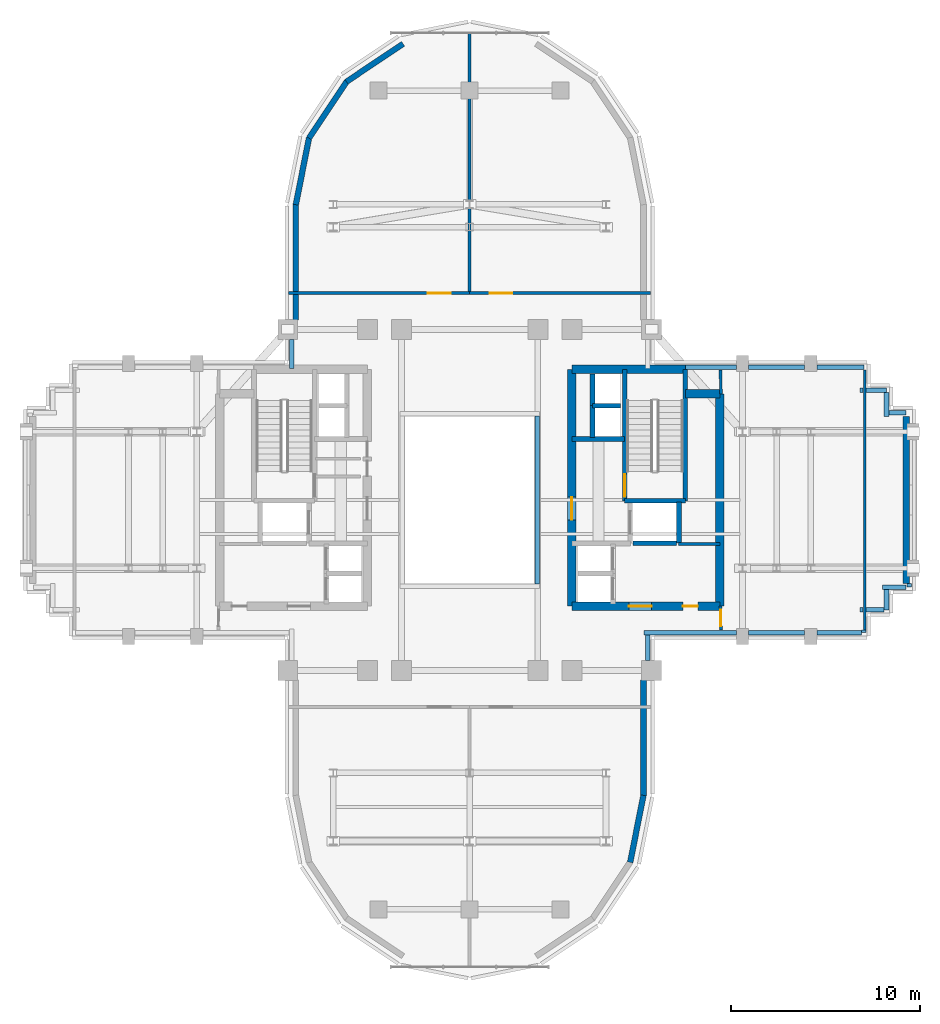
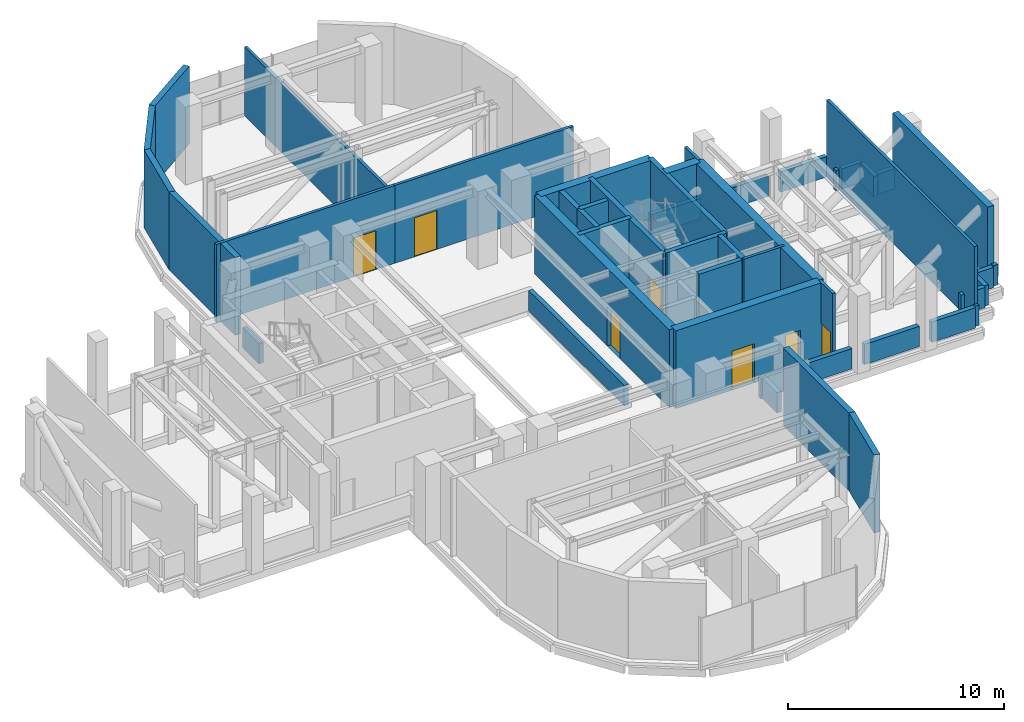
# One storey, part 7 of 11: 47 walls, 7 doors, 7 openings.
"""IFC4 building model written with IfcOpenShell, lengths in metres."""

import ifcopenshell
import ifcopenshell.guid

model = None  # the IFC model being written
_history = None  # IfcOwnerHistory: only IFC2X3 demands one
_inside = {}  # id of a spatial element -> (the spatial element, [elements in it])
_under = {}  # id of a project, library or spatial element -> (it, [spatial elements below it])
_declared = {}  # id of a project -> (the project, [libraries it declares])
_typed = {}  # id of a type object -> (the type object, [elements of that type])
_made_of = {}  # id of a material, layer set ... -> (it, [elements and type objects made of it])


def new_model(schema):
    """Start an empty IFC model of exactly this schema.

    Asked for "IFC4X3", IfcOpenShell would pick the latest addendum, in which some entities
    have other attributes; the version numbers below select the first issue.
    IFC2X3 requires an IfcOwnerHistory on every rooted entity: one is made here for all.
    """
    global model, _history
    if schema == "IFC4X3":
        model = ifcopenshell.file(schema_version=(4, 3, 0, 0))
    else:
        model = ifcopenshell.file(schema=schema)
    _inside.clear()
    _under.clear()
    _declared.clear()
    _typed.clear()
    _made_of.clear()
    _history = None
    if model.schema == "IFC2X3":
        org = make("IfcOrganization", Name="unknown")
        user = make(
            "IfcPersonAndOrganization",
            ThePerson=make("IfcPerson", FamilyName="unknown"),
            TheOrganization=org,
        )
        app = make(
            "IfcApplication",
            ApplicationDeveloper=org,
            Version="unknown",
            ApplicationFullName="unknown",
            ApplicationIdentifier="unknown",
        )
        _history = make(
            "IfcOwnerHistory",
            OwningUser=user,
            OwningApplication=app,
            ChangeAction="ADDED",
            CreationDate=0,
        )
    return model


def make(cls, **values):
    """One entity of the class cls with the attributes given. An attribute that is None is left unset."""
    return model.create_entity(
        cls, **{name: value for name, value in values.items() if value is not None}
    )


def rooted(cls, **values):
    """An entity with a GlobalId (a new one), such as an element, a storey or a relation."""
    return make(cls, GlobalId=ifcopenshell.guid.new(), OwnerHistory=_history, **values)


def si_unit(unit_type, name, prefix=None):
    """IfcSIUnit, for example si_unit("LENGTHUNIT", "METRE", prefix="MILLI")."""
    return make("IfcSIUnit", UnitType=unit_type, Prefix=prefix, Name=name)


def assignment(units):
    """IfcUnitAssignment: the units of a project."""
    return None if units is None else make("IfcUnitAssignment", Units=units)


def point(xyz):
    """IfcCartesianPoint."""
    return None if xyz is None else make("IfcCartesianPoint", Coordinates=xyz)


def direction(xyz):
    """IfcDirection."""
    return None if xyz is None else make("IfcDirection", DirectionRatios=xyz)


def frame(location, z_axis=None, x_axis=None):
    """IfcAxis2Placement3D, a coordinate frame: its origin and axes. An axis left out is left unset."""
    return make(
        "IfcAxis2Placement3D",
        Location=point(location),
        Axis=direction(z_axis),
        RefDirection=direction(x_axis),
    )


def frame_2d(location, x_axis=None):
    """IfcAxis2Placement2D, a coordinate frame in the plane: its origin and x axis."""
    return make(
        "IfcAxis2Placement2D", Location=point(location), RefDirection=direction(x_axis)
    )


def origin():
    """The frame at (0, 0, 0) with its axes left unset."""
    return frame((0.0, 0.0, 0.0))


def place(relative_to, where):
    """IfcLocalPlacement: puts the frame where relative to a parent placement (None: the world)."""
    return make(
        "IfcLocalPlacement", PlacementRelTo=relative_to, RelativePlacement=where
    )


def context(
    kind, dimensions, precision=None, world=None, true_north=None, identifier=None
):
    """IfcGeometricRepresentationContext, for example the 3D "Model" context."""
    return make(
        "IfcGeometricRepresentationContext",
        ContextIdentifier=identifier,
        ContextType=kind,
        CoordinateSpaceDimension=dimensions,
        Precision=precision,
        WorldCoordinateSystem=world,
        TrueNorth=true_north,
    )


def subcontext(parent, identifier, kind, view, scale=None):
    """IfcGeometricRepresentationSubContext, for example "Body" below "Model"."""
    return make(
        "IfcGeometricRepresentationSubContext",
        ContextIdentifier=identifier,
        ContextType=kind,
        ParentContext=parent,
        TargetScale=scale,
        TargetView=view,
    )


def project(units=None, contexts=None):
    """IfcProject with its units and contexts."""
    return rooted(
        "IfcProject",
        Name="project",
        RepresentationContexts=contexts,
        UnitsInContext=assignment(units),
    )


def spatial(cls, under=None, at=None, **own):
    """A site, building, storey or space (cls), placed at a placement, below another one or the project."""
    s = rooted(cls, ObjectPlacement=at, **own)
    if under is not None:
        _under.setdefault(under.id(), (under, []))[1].append(s)
    return s


def profile(cls, at=None, kind="AREA", **sizes):
    """A parametric profile (cls). Its sizes go by their IFC names, for example OverallWidth=200.0."""
    return make(cls, ProfileType=kind, Position=at, **sizes)


def rectangle(**sizes):
    """IfcRectangleProfileDef."""
    return profile("IfcRectangleProfileDef", **sizes)


def extrude(swept, where, along, depth):
    """IfcExtrudedAreaSolid: the profile swept, set in the frame where, extruded along a direction by depth."""
    return make(
        "IfcExtrudedAreaSolid",
        SweptArea=swept,
        Position=where,
        ExtrudedDirection=direction(along),
        Depth=depth,
    )


def shape(context_of_items, identifier, shape_type, items):
    """IfcShapeRepresentation: the items that make up one representation, for example the "Body"."""
    return make(
        "IfcShapeRepresentation",
        ContextOfItems=context_of_items,
        RepresentationIdentifier=identifier,
        RepresentationType=shape_type,
        Items=items,
    )


def source(mapping_origin, context_of_items, identifier, shape_type, items):
    """IfcRepresentationMap: a shape defined once, which mapped items show again and again."""
    return make(
        "IfcRepresentationMap",
        MappingOrigin=mapping_origin,
        MappedRepresentation=shape(context_of_items, identifier, shape_type, items),
    )


def transform(
    local_origin,
    x_axis=None,
    y_axis=None,
    z_axis=None,
    scale=None,
    scale2=None,
    scale3=None,
    uniform=True,
):
    """IfcCartesianTransformationOperator3D, or its non-uniform kind. x_axis, y_axis, z_axis: its Axis1, 2, 3."""
    if uniform:
        return make(
            "IfcCartesianTransformationOperator3D",
            Axis1=direction(x_axis),
            Axis2=direction(y_axis),
            LocalOrigin=point(local_origin),
            Scale=scale,
            Axis3=direction(z_axis),
        )
    return make(
        "IfcCartesianTransformationOperator3DnonUniform",
        Axis1=direction(x_axis),
        Axis2=direction(y_axis),
        LocalOrigin=point(local_origin),
        Scale=scale,
        Axis3=direction(z_axis),
        Scale2=scale2,
        Scale3=scale3,
    )


def mapped(mapping_source, mapping_target):
    """IfcMappedItem: shows the shape of a source again, moved by a transform."""
    return make(
        "IfcMappedItem", MappingSource=mapping_source, MappingTarget=mapping_target
    )


def material(Name=None, Category=None):
    """IfcMaterial."""
    return make("IfcMaterial", Name=Name, Category=Category)


def layer(
    of_material, thickness, ventilated=None, Name=None, Category=None, Priority=None
):
    """IfcMaterialLayer: one layer of a wall or slab, of a material (None: an air gap)."""
    return make(
        "IfcMaterialLayer",
        Material=of_material,
        LayerThickness=thickness,
        IsVentilated=ventilated,
        Name=Name,
        Category=Category,
        Priority=Priority,
    )


def layer_set(layers, Name=None):
    """IfcMaterialLayerSet."""
    return make("IfcMaterialLayerSet", MaterialLayers=layers, LayerSetName=Name)


def made_of(thing, what):
    """Note that an element or type object is made of a material, layer set ...; save() writes the relation."""
    if what is not None:
        _made_of.setdefault(what.id(), (what, []))[1].append(thing)
    return thing


def type_object(cls, material=None, **own):
    """A type object (cls), such as IfcWallType, which elements share."""
    return made_of(rooted(cls, **own), material)


def element(
    cls,
    number,
    at=None,
    inside=None,
    cuts=None,
    type_object=None,
    material=None,
    context=None,
    identifier="Body",
    shape_type=None,
    held_by="IfcProductDefinitionShape",
    body=None,
    shapes=None,
    **own,
):
    """One element of the class cls, such as IfcWall. Its Tag is "e" and its number.

    at: its placement. inside: the storey or other place that contains it. cuts: it is an
    opening in that element (IfcRelVoidsElement). A single representation is given by context,
    identifier, shape_type and body (its items); several are given by shapes. held_by: the class
    of the entity that holds the representations. save() writes the other relations.
    """
    e = rooted(cls, Tag="e%d" % number, ObjectPlacement=at, **own)
    if body is not None:
        shapes = [shape(context, identifier, shape_type, body)]
    if shapes is not None:
        e.Representation = make(held_by, Representations=shapes)
    if inside is not None:
        _inside.setdefault(inside.id(), (inside, []))[1].append(e)
    if cuts is not None:
        rooted(
            "IfcRelVoidsElement", RelatingBuildingElement=cuts, RelatedOpeningElement=e
        )
    if type_object is not None:
        _typed.setdefault(type_object.id(), (type_object, []))[1].append(e)
    return made_of(e, material)


def fill(opening, filler):
    """IfcRelFillsElement: the door or window that sits in an opening."""
    return rooted(
        "IfcRelFillsElement",
        RelatingOpeningElement=opening,
        RelatedBuildingElement=filler,
    )


def aggregate(whole, parts):
    """IfcRelAggregates: a whole, such as a stair, and the parts it consists of."""
    return rooted("IfcRelAggregates", RelatingObject=whole, RelatedObjects=parts)


def save(model, path):
    """Write the relations noted so far, then the file.

    IfcRelAggregates (storeys below a building ...), IfcRelContainedInSpatialStructure (elements
    in a storey), IfcRelDefinesByType, IfcRelAssociatesMaterial and IfcRelDeclares: one each for
    every whole, place, type object, material and project.
    """
    for whole, parts in _under.values():
        aggregate(whole, parts)
    for where, things in _inside.values():
        rooted(
            "IfcRelContainedInSpatialStructure",
            RelatedElements=things,
            RelatingStructure=where,
        )
    for kind, things in _typed.values():
        rooted("IfcRelDefinesByType", RelatedObjects=things, RelatingType=kind)
    for what, things in _made_of.values():
        rooted("IfcRelAssociatesMaterial", RelatedObjects=things, RelatingMaterial=what)
    for by, libraries in _declared.values():
        rooted("IfcRelDeclares", RelatingContext=by, RelatedDefinitions=libraries)
    model.write(path)


model = new_model("IFC4")

# Units and contexts
model_context = context("Model", 3, precision=1e-05, world=origin(), true_north=direction((0.0, 1.0)))
body_context = subcontext(model_context, "Body", "Model", "MODEL_VIEW")
ifc_project = project(units=[si_unit("LENGTHUNIT", "METRE"), si_unit("AREAUNIT", "SQUARE_METRE"), si_unit("VOLUMEUNIT", "CUBIC_METRE"), si_unit("PLANEANGLEUNIT", "RADIAN"), si_unit("MASSUNIT", "GRAM", prefix="KILO")], contexts=[model_context])

# Site, building, storey
site_placement = place(None, origin())
site = spatial("IfcSite", under=ifc_project, at=site_placement, CompositionType="ELEMENT")
building_placement = place(site_placement, origin())
building = spatial("IfcBuilding", under=site, at=building_placement, Name="Keilestroom Media Tower", CompositionType="ELEMENT")
storey_placement = place(building_placement, frame((0.0, 0.0, 151.60009765625)))
storey = spatial("IfcBuildingStorey", under=building, at=storey_placement, Name="L41", CompositionType="ELEMENT", Elevation=151.60009765625)

# Walls
ifc_material_1 = material(Name="Precast concrete C40/50", Category="concrete")
ifc_layer_1 = layer(ifc_material_1, 0.300048828125)
ifc_layer_set_1 = layer_set([ifc_layer_1], Name="Precast concrete C40/50")
wall_type_1 = type_object("IfcWallType", Name="Exterior-Masonry-Spandrel-Wall-300", PredefinedType="SOLIDWALL", material=ifc_layer_set_1)
wall_1_placement = place(storey_placement, frame((-3.510009765625, 24.073486328125, 0.0), z_axis=(0.0, 0.0, 1.0), x_axis=(-0.8314749531, -0.555562239868, 0.0)))
element("IfcWall", 1, at=wall_1_placement, inside=storey, type_object=wall_type_1, Name="L41 Plant Lobe Masonry Wall 05", PredefinedType="SOLIDWALL", context=body_context, shape_type="SweptSolid", body=[
    extrude(rectangle(XDim=3.59326171875, YDim=0.300048828125, at=frame_2d((1.796630859375, 0.0))), origin(), (0.0, 0.0, 1.0), 4.39990234375),
])
for number, where, z_axis, x_axis, name in (
    (2, (-6.47705078125, 22.097900390625, 0.0), (0.0, 0.0, 1.0), (-0.555574187116, -0.831466970246, 0.0), "L41 Plant Lobe Masonry Wall 06"),
    (3, (-8.470703125, 19.12451171875, 0.0), (0.0, 0.0, 1.0), (-0.195114232679, -0.980780523974, 0.0), "L41 Plant Lobe Masonry Wall 07"),
):
    element("IfcWall", number, at=place(storey_placement, frame(where, z_axis=z_axis, x_axis=x_axis)), inside=storey, type_object=wall_type_1, Name=name, PredefinedType="SOLIDWALL", context=body_context, shape_type="SweptSolid", body=[
        extrude(rectangle(XDim=3.608642578125, YDim=0.300048828125, at=frame_2d((1.80419921875, 0.0))), origin(), (0.0, 0.0, 1.0), 4.39990234375),
    ])
wall_2_placement = place(storey_placement, frame((-9.171875, 15.6298828125, 0.0), z_axis=(0.0, 0.0, 1.0), x_axis=(0.0, -1.0, 0.0)))
element("IfcWall", 4, at=wall_2_placement, inside=storey, type_object=wall_type_1, Name="L41 Plant Lobe Masonry Wall 08", PredefinedType="SOLIDWALL", context=body_context, shape_type="SweptSolid", body=[
    extrude(rectangle(XDim=6.136962890625, YDim=0.300048828125, at=frame_2d((3.068359375, 0.0))), origin(), (0.0, 0.0, 1.0), 4.39990234375),
])
wall_3_placement = place(storey_placement, frame((8.470703125, -19.12451171875, 0.0), z_axis=(0.0, 0.0, 1.0), x_axis=(0.195114232679, 0.980780523974, 0.0)))
element("IfcWall", 5, at=wall_3_placement, inside=storey, type_object=wall_type_1, Name="L41 Plant Lobe Masonry Wall 15", PredefinedType="SOLIDWALL", context=body_context, shape_type="SweptSolid", body=[
    extrude(rectangle(XDim=3.608642578125, YDim=0.300048828125, at=frame_2d((1.80419921875, 0.0))), origin(), (0.0, 0.0, 1.0), 4.39990234375),
])
wall_4_placement = place(storey_placement, frame((9.171875, -15.6298828125, 0.0), z_axis=(0.0, 0.0, 1.0), x_axis=(0.0, 1.0, 0.0)))
element("IfcWall", 6, at=wall_4_placement, inside=storey, type_object=wall_type_1, Name="L41 Plant Lobe Masonry Wall 16", PredefinedType="SOLIDWALL", context=body_context, shape_type="SweptSolid", body=[
    extrude(rectangle(XDim=6.136962890625, YDim=0.300048828125, at=frame_2d((3.068359375, 0.0))), origin(), (0.0, 0.0, 1.0), 4.39990234375),
])
ifc_layer_2 = layer(ifc_material_1, 0.340087890625)
ifc_layer_set_2 = layer_set([ifc_layer_2], Name="Precast concrete C40/50")
wall_type_2 = type_object("IfcWallType", Name="Exterior-Masonry-Spandrel-Wall-340", PredefinedType="SOLIDWALL", material=ifc_layer_set_2)
wall_5_placement = place(storey_placement, frame((23.050048828125, -4.39990234375, 0.0), z_axis=(0.0, 0.0, 1.0), x_axis=(0.0, 1.0, 0.0)))
element("IfcWall", 7, at=wall_5_placement, inside=storey, type_object=wall_type_2, Name="L41 Plant Masonry Screen Wall E", PredefinedType="SOLIDWALL", context=body_context, shape_type="SweptSolid", body=[
    extrude(rectangle(XDim=8.7998046875, YDim=0.340087890625, at=frame_2d((4.39990234375, 0.0))), origin(), (0.0, 0.0, 1.0), 4.39990234375),
])
ifc_material_2 = material(Name="Gypsum Plasterboard & Steel Stud", Category="steel")
ifc_layer_3 = layer(ifc_material_2, 0.14990234375)
ifc_layer_set_3 = layer_set([ifc_layer_3], Name="Gypsum Plasterboard & Steel Stud")
wall_type_3 = type_object("IfcWallType", Name="Interior-Partition-Wall-150", PredefinedType="PARTITIONING", material=ifc_layer_set_3)
wall_6_placement = place(storey_placement, frame((11.02001953125, -2.320068359375, 0.0), z_axis=(0.0, 0.0, 1.0), x_axis=(1.0, 0.0, 0.0)))
element("IfcWall", 8, at=wall_6_placement, inside=storey, type_object=wall_type_3, Name="L41 Interior Wall WP-L41-RECLE-N", PredefinedType="PARTITIONING", context=body_context, shape_type="SweptSolid", body=[
    extrude(rectangle(XDim=2.179931640625, YDim=0.14990234375, at=frame_2d((1.08984375, 0.0))), origin(), (0.0, 0.0, 1.0), 4.39990234375),
])

# Wall, opening, door
wall_7_placement = place(storey_placement, frame((13.260009765625, -6.85009765625, 0.0), z_axis=(0.0, 0.0, 1.0), x_axis=(-0.016013571389, 0.999871774545, 0.0)))
wall_7 = element("IfcWall", 9, at=wall_7_placement, inside=storey, type_object=wall_type_3, Name="L41 Interior Wall WP-L41-REF-EW", PredefinedType="PARTITIONING", context=body_context, shape_type="SweptSolid", body=[
    extrude(rectangle(XDim=1.250244140625, YDim=0.14990234375, at=frame_2d((0.625, 0.0))), origin(), (0.0, 0.0, 1.0), 4.39990234375),
])
opening_1_placement = place(wall_7_placement, frame((0.199951171875, 0.0, 0.0)))
opening_1 = element("IfcOpeningElement", 10, at=opening_1_placement, cuts=wall_7, Name="Opening DI-05", PredefinedType="OPENING", context=body_context, shape_type="SweptSolid", body=[
    extrude(rectangle(XDim=0.85009765625, YDim=2.10009765625, at=frame_2d((0.425048828125, 1.050048828125))), frame((0.0, 0.0849609375, 0.0), z_axis=(0.0, -1.0, 0.0), x_axis=(1.0, 0.0, 0.0)), (0.0, 0.0, 1.0), 0.169921875),
])
ifc_material_3 = material(Name="Moisture-Resistant Oak Leaf", Category="wood")
door_type_1 = type_object("IfcDoorType", Name="Interior-En-Suite-And-Cupboard-Door-DI-05", OperationType="NOTDEFINED", PredefinedType="DOOR", material=ifc_material_3)
shared_shape_1 = source(origin(), body_context, "Body", "SweptSolid", [
    extrude(rectangle(XDim=0.85009765625, YDim=2.10009765625, at=frame_2d((0.425048828125, 1.050048828125))), frame((0.0, 0.02490234375, 0.0), z_axis=(0.0, -1.0, 0.0), x_axis=(1.0, 0.0, 0.0)), (0.0, 0.0, 1.0), 0.050048828125),
])
door_1_placement = place(opening_1_placement, origin())
door_1 = element("IfcDoor", 11, at=door_1_placement, inside=storey, type_object=door_type_1, Name="L41 Interior Door DI-L41-DRF-ES", OperationType="SINGLE_SWING_LEFT", OverallHeight=2.10009765625, OverallWidth=0.85009765625, PredefinedType="DOOR", context=body_context, shape_type="MappedRepresentation", body=[
    mapped(shared_shape_1, transform((0.0, 0.0, 0.0), x_axis=(1.0, 0.0, 0.0), y_axis=(0.0, 1.0, 0.0), z_axis=(0.0, 0.0, 1.0), scale=1.0)),
])
fill(opening_1, door_1)

# Walls
wall_8_placement = place(storey_placement, frame((13.260009765625, 5.60009765625, 0.0), z_axis=(0.0, 0.0, 1.0), x_axis=(-0.016013571389, 0.999871774545, 0.0)))
element("IfcWall", 12, at=wall_8_placement, inside=storey, type_object=wall_type_3, Name="L41 Interior Wall WP-L41-REF-ENK", PredefinedType="PARTITIONING", context=body_context, shape_type="SweptSolid", body=[
    extrude(rectangle(XDim=1.250244140625, YDim=0.14990234375, at=frame_2d((0.625, 0.0))), origin(), (0.0, 0.0, 1.0), 4.39990234375),
])
wall_9_placement = place(storey_placement, frame((20.85009765625, -6.85009765625, 0.0), z_axis=(0.0, 0.0, 1.0), x_axis=(0.0, 1.0, 0.0)))
element("IfcWall", 13, at=wall_9_placement, inside=storey, type_object=wall_type_3, Name="L41 Interior Wall WP-L41-REF-EE", PredefinedType="PARTITIONING", context=body_context, shape_type="SweptSolid", body=[
    extrude(rectangle(XDim=13.7001953125, YDim=0.14990234375, at=frame_2d((6.85009765625, 0.0))), origin(), (0.0, 0.0, 1.0), 4.39990234375),
])

# Wall, opening, door
wall_10_placement = place(storey_placement, frame((-9.550048828125, 10.919921875, 0.0), z_axis=(0.0, 0.0, 1.0), x_axis=(1.0, 0.0, 0.0)))
wall_10 = element("IfcWall", 14, at=wall_10_placement, inside=storey, type_object=wall_type_3, Name="L41 Interior Wall WP-L41-PL-AHUN-S", PredefinedType="PARTITIONING", context=body_context, shape_type="SweptSolid", body=[
    extrude(rectangle(XDim=9.550048828125, YDim=0.14990234375, at=frame_2d((4.77490234375, 0.0))), origin(), (0.0, 0.0, 1.0), 4.39990234375),
])
opening_2_placement = place(wall_10_placement, frame((7.35009765625, 0.0, 0.0)))
opening_2 = element("IfcOpeningElement", 15, at=opening_2_placement, cuts=wall_10, Name="Opening DI-02", PredefinedType="OPENING", context=body_context, shape_type="SweptSolid", body=[
    extrude(rectangle(XDim=1.199951171875, YDim=2.199951171875, at=frame_2d((0.60009765625, 1.10009765625))), frame((0.0, 0.0849609375, 0.0), z_axis=(0.0, -1.0, 0.0), x_axis=(1.0, 0.0, 0.0)), (0.0, 0.0, 1.0), 0.169921875),
])
ifc_material_4 = material(Name="Powder-Coated Steel Fire Leaf", Category="steel")
door_type_2 = type_object("IfcDoorType", Name="Interior-Compartment-Fire-Door-DI-02", OperationType="NOTDEFINED", PredefinedType="DOOR", material=ifc_material_4)
shared_shape_2 = source(origin(), body_context, "Body", "SweptSolid", [
    extrude(rectangle(XDim=1.199951171875, YDim=2.199951171875, at=frame_2d((0.60009765625, 1.10009765625))), frame((0.0, 0.02490234375, 0.0), z_axis=(0.0, -1.0, 0.0), x_axis=(1.0, 0.0, 0.0)), (0.0, 0.0, 1.0), 0.050048828125),
])
door_2_placement = place(opening_2_placement, origin())
door_2 = element("IfcDoor", 16, at=door_2_placement, inside=storey, type_object=door_type_2, Name="L41 Interior Door DI-L41-PL-AHUN-D", OperationType="SINGLE_SWING_RIGHT", OverallHeight=2.199951171875, OverallWidth=1.199951171875, PredefinedType="DOOR", context=body_context, shape_type="MappedRepresentation", body=[
    mapped(shared_shape_2, transform((0.0, 0.0, 0.0), x_axis=(1.0, 0.0, 0.0), y_axis=(0.0, 1.0, 0.0), z_axis=(0.0, 0.0, 1.0), scale=1.0)),
])
fill(opening_2, door_2)

# Wall
wall_11_placement = place(storey_placement, frame((0.0, 10.919921875, 0.0), z_axis=(0.0, 0.0, 1.0), x_axis=(0.0, 1.0, 0.0)))
element("IfcWall", 17, at=wall_11_placement, inside=storey, type_object=wall_type_3, Name="L41 Interior Wall WP-L41-PL-AHUN-M", PredefinedType="PARTITIONING", context=body_context, shape_type="SweptSolid", body=[
    extrude(rectangle(XDim=13.72998046875, YDim=0.14990234375, at=frame_2d((6.864990234375, 0.0))), origin(), (0.0, 0.0, 1.0), 3.89990234375),
])

# Wall, opening, door
wall_12_placement = place(storey_placement, frame((0.0, 10.919921875, 0.0), z_axis=(0.0, 0.0, 1.0), x_axis=(1.0, 0.0, 0.0)))
wall_12 = element("IfcWall", 18, at=wall_12_placement, inside=storey, type_object=wall_type_3, Name="L41 Interior Wall WP-L41-PL-ELECN-S", PredefinedType="PARTITIONING", context=body_context, shape_type="SweptSolid", body=[
    extrude(rectangle(XDim=9.550048828125, YDim=0.14990234375, at=frame_2d((4.77490234375, 0.0))), origin(), (0.0, 0.0, 1.0), 4.39990234375),
])
opening_3_placement = place(wall_12_placement, frame((1.050048828125, 0.0, 0.0)))
opening_3 = element("IfcOpeningElement", 19, at=opening_3_placement, cuts=wall_12, Name="Opening DI-02", PredefinedType="OPENING", context=body_context, shape_type="SweptSolid", body=[
    extrude(rectangle(XDim=1.199951171875, YDim=2.199951171875, at=frame_2d((0.60009765625, 1.10009765625))), frame((0.0, 0.0849609375, 0.0), z_axis=(0.0, -1.0, 0.0), x_axis=(1.0, 0.0, 0.0)), (0.0, 0.0, 1.0), 0.169921875),
])
door_3_placement = place(opening_3_placement, origin())
door_3 = element("IfcDoor", 20, at=door_3_placement, inside=storey, type_object=door_type_2, Name="L41 Interior Door DI-L41-PL-ELECN-D", OperationType="SINGLE_SWING_LEFT", OverallHeight=2.199951171875, OverallWidth=1.199951171875, PredefinedType="DOOR", context=body_context, shape_type="MappedRepresentation", body=[
    mapped(shared_shape_2, transform((0.0, 0.0, 0.0), x_axis=(1.0, 0.0, 0.0), y_axis=(0.0, 1.0, 0.0), z_axis=(0.0, 0.0, 1.0), scale=1.0)),
])
fill(opening_3, door_3)

# Wall
ifc_material_5 = material(Name="Concrete C55/67", Category="concrete")
ifc_layer_4 = layer(ifc_material_5, 0.449951171875)
ifc_layer_set_4 = layer_set([ifc_layer_4], Name="Concrete C55/67")
wall_type_4 = type_object("IfcWallType", Name="Reinforced-Concrete-Core-Shear-Wall-450", PredefinedType="SHEAR", material=ifc_layer_set_4)
wall_13_placement = place(storey_placement, frame((13.199951171875, -5.60009765625, 0.0), z_axis=(0.0, 0.0, 1.0), x_axis=(0.0, 1.0, 0.0)))
element("IfcWall", 21, at=wall_13_placement, inside=storey, type_object=wall_type_4, Name="L41 Core Shear Wall WL-L41-CORE-E-OUT", PredefinedType="SHEAR", context=body_context, shape_type="SweptSolid", body=[
    extrude(rectangle(XDim=11.2001953125, YDim=0.449951171875, at=frame_2d((5.60009765625, 0.0))), origin(), (0.0, 0.0, 1.0), 4.39990234375),
])

# Wall, opening, door
wall_14_placement = place(storey_placement, frame((5.39990234375, -5.60009765625, 0.0), z_axis=(0.0, 0.0, 1.0), x_axis=(0.0, 1.0, 0.0)))
wall_14 = element("IfcWall", 22, at=wall_14_placement, inside=storey, type_object=wall_type_4, Name="L41 Core Shear Wall WL-L41-CORE-E-IN", PredefinedType="SHEAR", context=body_context, shape_type="SweptSolid", body=[
    extrude(rectangle(XDim=12.5, YDim=0.449951171875, at=frame_2d((6.25, 0.0))), origin(), (0.0, 0.0, 1.0), 4.39990234375),
])
opening_4_placement = place(wall_14_placement, frame((4.550048828125, 0.0, 0.0)))
opening_4 = element("IfcOpeningElement", 23, at=opening_4_placement, cuts=wall_14, Name="Opening DI-02", PredefinedType="OPENING", context=body_context, shape_type="SweptSolid", body=[
    extrude(rectangle(XDim=1.199951171875, YDim=2.199951171875, at=frame_2d((0.60009765625, 1.10009765625))), frame((0.0, 0.23486328125, 0.0), z_axis=(0.0, -1.0, 0.0), x_axis=(1.0, 0.0, 0.0)), (0.0, 0.0, 1.0), 0.469970703125),
])
door_4_placement = place(opening_4_placement, origin())
door_4 = element("IfcDoor", 24, at=door_4_placement, inside=storey, type_object=door_type_2, Name="L41 E Firefighting Lobby Door", OperationType="SINGLE_SWING_LEFT", OverallHeight=2.199951171875, OverallWidth=1.199951171875, PredefinedType="DOOR", context=body_context, shape_type="MappedRepresentation", body=[
    mapped(shared_shape_2, transform((0.0, 0.0, 0.0), x_axis=(1.0, 0.0, 0.0), y_axis=(0.0, 1.0, 0.0), z_axis=(0.0, 0.0, 1.0), scale=1.0)),
])
fill(opening_4, door_4)

# Walls
wall_15_placement = place(storey_placement, frame((5.39990234375, 6.89990234375, 0.0), z_axis=(0.0, 0.0, 1.0), x_axis=(1.0, 0.0, 0.0)))
element("IfcWall", 25, at=wall_15_placement, inside=storey, type_object=wall_type_4, Name="L41 Core Shear Wall WL-L41-CORE-E-N", PredefinedType="SHEAR", context=body_context, shape_type="SweptSolid", body=[
    extrude(rectangle(XDim=5.981201171875, YDim=0.449951171875, at=frame_2d((2.99072265625, 0.0))), origin(), (0.0, 0.0, 1.0), 4.39990234375),
])
wall_16_placement = place(storey_placement, frame((11.381103515625, 5.60009765625, 0.0), z_axis=(0.0, 0.0, 1.0), x_axis=(1.0, 0.0, 0.0)))
element("IfcWall", 26, at=wall_16_placement, inside=storey, type_object=wall_type_4, Name="L41 Core Shear Wall WL-L41-CNE-N", PredefinedType="SHEAR", context=body_context, shape_type="SweptSolid", body=[
    extrude(rectangle(XDim=1.81884765625, YDim=0.449951171875, at=frame_2d((0.909423828125, 0.0))), origin(), (0.0, 0.0, 1.0), 4.39990234375),
])

# Wall, openings, doors
wall_17_placement = place(storey_placement, frame((5.39990234375, -5.60009765625, 0.0), z_axis=(0.0, 0.0, 1.0), x_axis=(1.0, 0.0, 0.0)))
wall_17 = element("IfcWall", 27, at=wall_17_placement, inside=storey, type_object=wall_type_4, Name="L41 Core Shear Wall WL-L41-CORE-E-S", PredefinedType="SHEAR", context=body_context, shape_type="SweptSolid", body=[
    extrude(rectangle(XDim=7.800048828125, YDim=0.449951171875, at=frame_2d((3.89990234375, 0.0))), origin(), (0.0, 0.0, 1.0), 4.39990234375),
])
opening_5_placement = place(wall_17_placement, frame((3.0, 0.0, 0.0)))
opening_5 = element("IfcOpeningElement", 28, at=opening_5_placement, cuts=wall_17, Name="Opening DI-02", PredefinedType="OPENING", context=body_context, shape_type="SweptSolid", body=[
    extrude(rectangle(XDim=1.199951171875, YDim=2.199951171875, at=frame_2d((0.60009765625, 1.10009765625))), frame((0.0, 0.23486328125, 0.0), z_axis=(0.0, -1.0, 0.0), x_axis=(1.0, 0.0, 0.0)), (0.0, 0.0, 1.0), 0.469970703125),
])
opening_6_placement = place(wall_17_placement, frame((5.85009765625, 0.0, 0.0)))
opening_6 = element("IfcOpeningElement", 29, at=opening_6_placement, cuts=wall_17, Name="Opening DI-06", PredefinedType="OPENING", context=body_context, shape_type="SweptSolid", body=[
    extrude(rectangle(XDim=0.800048828125, YDim=2.10009765625, at=frame_2d((0.39990234375, 1.050048828125))), frame((0.0, 0.23486328125, 0.0), z_axis=(0.0, -1.0, 0.0), x_axis=(1.0, 0.0, 0.0)), (0.0, 0.0, 1.0), 0.469970703125),
])
door_5_placement = place(opening_5_placement, origin())
door_5 = element("IfcDoor", 30, at=door_5_placement, inside=storey, type_object=door_type_2, Name="L41 E Passenger Lift Lobby Door", OperationType="SINGLE_SWING_RIGHT", OverallHeight=2.199951171875, OverallWidth=1.199951171875, PredefinedType="DOOR", context=body_context, shape_type="MappedRepresentation", body=[
    mapped(shared_shape_2, transform((0.0, 0.0, 0.0), x_axis=(1.0, 0.0, 0.0), y_axis=(0.0, 1.0, 0.0), z_axis=(0.0, 0.0, 1.0), scale=1.0)),
])
fill(opening_5, door_5)
ifc_material_6 = material(Name="Powder-Coated Steel Service Leaf", Category="steel")
door_type_3 = type_object("IfcDoorType", Name="Interior-Riser-Access-Door-DI-06", OperationType="NOTDEFINED", PredefinedType="DOOR", material=ifc_material_6)
shared_shape_3 = source(origin(), body_context, "Body", "SweptSolid", [
    extrude(rectangle(XDim=0.800048828125, YDim=2.10009765625, at=frame_2d((0.39990234375, 1.050048828125))), frame((0.0, 0.02490234375, 0.0), z_axis=(0.0, -1.0, 0.0), x_axis=(1.0, 0.0, 0.0)), (0.0, 0.0, 1.0), 0.050048828125),
])
door_6_placement = place(opening_6_placement, origin())
door_6 = element("IfcDoor", 31, at=door_6_placement, inside=storey, type_object=door_type_3, Name="L41 Reclaimed East Core Room Door", OperationType="SINGLE_SWING_RIGHT", OverallHeight=2.10009765625, OverallWidth=0.800048828125, PredefinedType="DOOR", context=body_context, shape_type="MappedRepresentation", body=[
    mapped(shared_shape_3, transform((0.0, 0.0, 0.0), x_axis=(1.0, 0.0, 0.0), y_axis=(0.0, 1.0, 0.0), z_axis=(0.0, 0.0, 1.0), scale=1.0)),
])
fill(opening_6, door_6)

# Wall
ifc_material_7 = material(Name="Concrete C50/60", Category="concrete")
ifc_layer_5 = layer(ifc_material_7, 0.25)
ifc_layer_set_5 = layer_set([ifc_layer_5], Name="Concrete C50/60")
wall_type_5 = type_object("IfcWallType", Name="Reinforced-Concrete-Shaft-Wall-250", PredefinedType="SOLIDWALL", material=ifc_layer_set_5)
wall_18_placement = place(storey_placement, frame((5.39990234375, 3.219970703125, 0.0), z_axis=(0.0, 0.0, 1.0), x_axis=(1.0, 0.0, 0.0)))
element("IfcWall", 32, at=wall_18_placement, inside=storey, type_object=wall_type_5, Name="L41 Core Shear Wall WL-L41-CORE-E-FFN", PredefinedType="SOLIDWALL", context=body_context, shape_type="SweptSolid", body=[
    extrude(rectangle(XDim=2.780029296875, YDim=0.25, at=frame_2d((1.39013671875, 0.0))), origin(), (0.0, 0.0, 1.0), 4.39990234375),
])

# Wall, opening, door
wall_19_placement = place(storey_placement, frame((8.178955078125, -0.041015625, 0.0), z_axis=(0.0, 0.0, 1.0), x_axis=(0.0, 1.0, 0.0)))
wall_19 = element("IfcWall", 33, at=wall_19_placement, inside=storey, type_object=wall_type_5, Name="L41 Core Shear Wall WL-L41-STW-E-NEAR", PredefinedType="SOLIDWALL", context=body_context, shape_type="SweptSolid", body=[
    extrude(rectangle(XDim=6.94091796875, YDim=0.25, at=frame_2d((3.470458984375, 0.0))), origin(), (0.0, 0.0, 1.0), 4.39990234375),
])
opening_7_placement = place(wall_19_placement, frame((0.199951171875, 0.0, 0.0)))
opening_7 = element("IfcOpeningElement", 34, at=opening_7_placement, cuts=wall_19, Name="Opening DI-01S", PredefinedType="OPENING", context=body_context, shape_type="SweptSolid", body=[
    extrude(rectangle(XDim=1.199951171875, YDim=2.199951171875, at=frame_2d((0.60009765625, 1.10009765625))), frame((0.0, 0.135009765625, 0.0), z_axis=(0.0, -1.0, 0.0), x_axis=(1.0, 0.0, 0.0)), (0.0, 0.0, 1.0), 0.27001953125),
])
door_type_4 = type_object("IfcDoorType", Name="Interior-Stair-And-Core-Fire-Door-DI-01", OperationType="NOTDEFINED", PredefinedType="DOOR", material=ifc_material_4)
door_7_placement = place(opening_7_placement, origin())
door_7 = element("IfcDoor", 35, at=door_7_placement, inside=storey, type_object=door_type_4, Name="L41 Escape Stair ST-2 Fire Door", OperationType="SINGLE_SWING_RIGHT", OverallHeight=2.199951171875, OverallWidth=1.199951171875, PredefinedType="DOOR", context=body_context, shape_type="MappedRepresentation", body=[
    mapped(shared_shape_2, transform((0.0, 0.0, 0.0), x_axis=(1.0, 0.0, 0.0), y_axis=(0.0, 1.0, 0.0), z_axis=(0.0, 0.0, 1.0), scale=1.0)),
])
fill(opening_7, door_7)

# Walls
wall_20_placement = place(storey_placement, frame((11.381103515625, -0.041015625, 0.0), z_axis=(0.0, 0.0, 1.0), x_axis=(0.0, 1.0, 0.0)))
element("IfcWall", 36, at=wall_20_placement, inside=storey, type_object=wall_type_5, Name="L41 Core Shear Wall WL-L41-STW-E-FAR", PredefinedType="SOLIDWALL", context=body_context, shape_type="SweptSolid", body=[
    extrude(rectangle(XDim=6.94091796875, YDim=0.25, at=frame_2d((3.470458984375, 0.0))), origin(), (0.0, 0.0, 1.0), 4.39990234375),
])
wall_21_placement = place(storey_placement, frame((8.178955078125, -0.041015625, 0.0), z_axis=(0.0, 0.0, 1.0), x_axis=(1.0, 0.0, 0.0)))
element("IfcWall", 37, at=wall_21_placement, inside=storey, type_object=wall_type_5, Name="L41 Core Shear Wall WL-L41-STW-E-S", PredefinedType="SOLIDWALL", context=body_context, shape_type="SweptSolid", body=[
    extrude(rectangle(XDim=3.2021484375, YDim=0.25, at=frame_2d((1.60107421875, 0.0))), origin(), (0.0, 0.0, 1.0), 4.39990234375),
])
wall_22_placement = place(storey_placement, frame((11.050048828125, -2.280029296875, 0.0), z_axis=(0.0, 0.0, 1.0), x_axis=(0.0, 1.0, 0.0)))
element("IfcWall", 38, at=wall_22_placement, inside=storey, type_object=wall_type_5, Name="L41 Core Shear Wall WL-L41-LSH-FFL-2-E", PredefinedType="SOLIDWALL", context=body_context, shape_type="SweptSolid", body=[
    extrude(rectangle(XDim=2.179931640625, YDim=0.25, at=frame_2d((1.08984375, 0.0))), origin(), (0.0, 0.0, 1.0), 4.39990234375),
])
wall_23_placement = place(storey_placement, frame((8.60888671875, -2.280029296875, 0.0), z_axis=(0.0, 0.0, 1.0), x_axis=(1.0, 0.0, 0.0)))
element("IfcWall", 39, at=wall_23_placement, inside=storey, type_object=wall_type_5, Name="L41 Core Shear Wall WL-L41-LSH-FFL-2-S", PredefinedType="SOLIDWALL", context=body_context, shape_type="SweptSolid", body=[
    extrude(rectangle(XDim=2.31201171875, YDim=0.25, at=frame_2d((1.156005859375, 0.0))), origin(), (0.0, 0.0, 1.0), 4.39990234375),
])
wall_24_placement = place(storey_placement, frame((6.47998046875, 3.300048828125, 0.0), z_axis=(0.0, 0.0, 1.0), x_axis=(0.0, 1.0, 0.0)))
element("IfcWall", 40, at=wall_24_placement, inside=storey, type_object=wall_type_5, Name="L41 Core Shear Wall WL-L41-LSH-PL-H3-W", PredefinedType="SOLIDWALL", context=body_context, shape_type="SweptSolid", body=[
    extrude(rectangle(XDim=1.679931640625, YDim=0.25, at=frame_2d((0.83984375, 0.0))), origin(), (0.0, 0.0, 1.0), 4.39990234375),
])
wall_25_placement = place(storey_placement, frame((6.47998046875, 4.97998046875, 0.0), z_axis=(0.0, 0.0, 1.0), x_axis=(1.0, 0.0, 0.0)))
element("IfcWall", 41, at=wall_25_placement, inside=storey, type_object=wall_type_5, Name="L41 Core Shear Wall WL-L41-LSH-PL-H3-N", PredefinedType="SOLIDWALL", context=body_context, shape_type="SweptSolid", body=[
    extrude(rectangle(XDim=1.469970703125, YDim=0.25, at=frame_2d((0.73486328125, 0.0))), origin(), (0.0, 0.0, 1.0), 4.39990234375),
])
wall_26_placement = place(storey_placement, frame((6.47998046875, 4.97998046875, 0.0), z_axis=(0.0, 0.0, 1.0), x_axis=(0.0, 1.0, 0.0)))
element("IfcWall", 42, at=wall_26_placement, inside=storey, type_object=wall_type_5, Name="L41 Core Shear Wall WL-L41-LSH-PL-H4-W", PredefinedType="SOLIDWALL", context=body_context, shape_type="SweptSolid", body=[
    extrude(rectangle(XDim=1.669921875, YDim=0.25, at=frame_2d((0.8349609375, 0.0))), origin(), (0.0, 0.0, 1.0), 4.39990234375),
])
ifc_layer_6 = layer(ifc_material_1, 0.239990234375)
ifc_layer_set_6 = layer_set([ifc_layer_6], Name="Precast concrete C40/50")
wall_type_6 = type_object("IfcWallType", Name="Roof-And-Terrace-Parapet-Wall-240", PredefinedType="PARAPET", material=ifc_layer_set_6)
wall_27_placement = place(storey_placement, frame((23.02880859375, -4.60009765625, 0.0), z_axis=(0.0, 0.0, 1.0), x_axis=(-1.0, 0.0, 0.0)))
element("IfcWall", 43, at=wall_27_placement, inside=storey, type_object=wall_type_6, Name="L41 Perimeter Edge Parapet Wall 01", PredefinedType="PARAPET", context=body_context, shape_type="SweptSolid", body=[
    extrude(rectangle(XDim=1.228759765625, YDim=0.239990234375, at=frame_2d((0.6142578125, 0.0))), origin(), (0.0, 0.0, 1.0), 1.14990234375),
])
wall_28_placement = place(storey_placement, frame((22.0, -4.722900390625, 0.0), z_axis=(0.0, 0.0, 1.0), x_axis=(0.0, -1.0, 0.0)))
element("IfcWall", 44, at=wall_28_placement, inside=storey, type_object=wall_type_6, Name="L41 Perimeter Edge Parapet Wall 02", PredefinedType="PARAPET", context=body_context, shape_type="SweptSolid", body=[
    extrude(rectangle(XDim=1.0771484375, YDim=0.239990234375, at=frame_2d((0.53857421875, 0.0))), origin(), (0.0, 0.0, 1.0), 1.14990234375),
])
wall_29_placement = place(storey_placement, frame((21.876953125, -5.800048828125, 0.0), z_axis=(0.0, 0.0, 1.0), x_axis=(-1.0, 0.0, 0.0)))
element("IfcWall", 45, at=wall_29_placement, inside=storey, type_object=wall_type_6, Name="L41 Perimeter Edge Parapet Wall 03", PredefinedType="PARAPET", context=body_context, shape_type="SweptSolid", body=[
    extrude(rectangle(XDim=0.948974609375, YDim=0.239990234375, at=frame_2d((0.474609375, 0.0))), origin(), (0.0, 0.0, 1.0), 1.14990234375),
])
wall_30_placement = place(storey_placement, frame((20.77197265625, -5.800048828125, 0.0), z_axis=(0.0, 0.0, 1.0), x_axis=(-1.0, 0.0, 0.0)))
element("IfcWall", 46, at=wall_30_placement, inside=storey, type_object=wall_type_6, Name="L41 Perimeter Edge Parapet Wall 04", PredefinedType="PARAPET", context=body_context, shape_type="SweptSolid", body=[
    extrude(rectangle(XDim=0.171875, YDim=0.239990234375, at=frame_2d((0.0859375, 0.0))), origin(), (0.0, 0.0, 1.0), 1.14990234375),
])
wall_31_placement = place(storey_placement, frame((20.800048828125, -6.85302734375, 0.0), z_axis=(0.0, 0.0, 1.0), x_axis=(0.0, -1.0, 0.0)))
element("IfcWall", 47, at=wall_31_placement, inside=storey, type_object=wall_type_6, Name="L41 Perimeter Edge Parapet Wall 05", PredefinedType="PARAPET", context=body_context, shape_type="SweptSolid", body=[
    extrude(rectangle(XDim=0.14697265625, YDim=0.239990234375, at=frame_2d((0.073486328125, 0.0))), origin(), (0.0, 0.0, 1.0), 1.14990234375),
])
wall_32_placement = place(storey_placement, frame((20.677001953125, -7.0, 0.0), z_axis=(0.0, 0.0, 1.0), x_axis=(-1.0, 0.0, 0.0)))
element("IfcWall", 48, at=wall_32_placement, inside=storey, type_object=wall_type_6, Name="L41 Perimeter Edge Parapet Wall 06", PredefinedType="PARAPET", context=body_context, shape_type="SweptSolid", body=[
    extrude(rectangle(XDim=2.34912109375, YDim=0.239990234375, at=frame_2d((1.174560546875, 0.0))), origin(), (0.0, 0.0, 1.0), 1.14990234375),
])
wall_33_placement = place(storey_placement, frame((17.672119140625, -7.0, 0.0), z_axis=(0.0, 0.0, 1.0), x_axis=(-1.0, 0.0, 0.0)))
element("IfcWall", 49, at=wall_33_placement, inside=storey, type_object=wall_type_6, Name="L41 Perimeter Edge Parapet Wall 07", PredefinedType="PARAPET", context=body_context, shape_type="SweptSolid", body=[
    extrude(rectangle(XDim=2.944091796875, YDim=0.239990234375, at=frame_2d((1.47216796875, 0.0))), origin(), (0.0, 0.0, 1.0), 1.14990234375),
])
wall_34_placement = place(storey_placement, frame((14.072021484375, -7.0, 0.0), z_axis=(0.0, 0.0, 1.0), x_axis=(-1.0, 0.0, 0.0)))
element("IfcWall", 50, at=wall_34_placement, inside=storey, type_object=wall_type_6, Name="L41 Perimeter Edge Parapet Wall 08", PredefinedType="PARAPET", context=body_context, shape_type="SweptSolid", body=[
    extrude(rectangle(XDim=4.8720703125, YDim=0.239990234375, at=frame_2d((2.43603515625, 0.0))), origin(), (0.0, 0.0, 1.0), 1.14990234375),
])
wall_35_placement = place(storey_placement, frame((9.39990234375, -7.123046875, 0.0), z_axis=(0.0, 0.0, 1.0), x_axis=(0.0, -1.0, 0.0)))
element("IfcWall", 51, at=wall_35_placement, inside=storey, type_object=wall_type_6, Name="L41 Perimeter Edge Parapet Wall 09", PredefinedType="PARAPET", context=body_context, shape_type="SweptSolid", body=[
    extrude(rectangle(XDim=1.348876953125, YDim=0.239990234375, at=frame_2d((0.67431640625, 0.0))), origin(), (0.0, 0.0, 1.0), 1.14990234375),
])
wall_36_placement = place(storey_placement, frame((-9.39990234375, 6.952880859375, 0.0), z_axis=(0.0, 0.0, 1.0), x_axis=(0.0, 1.0, 0.0)))
element("IfcWall", 52, at=wall_36_placement, inside=storey, type_object=wall_type_6, Name="L41 Perimeter Edge Parapet Wall 27", PredefinedType="PARAPET", context=body_context, shape_type="SweptSolid", body=[
    extrude(rectangle(XDim=1.51904296875, YDim=0.239990234375, at=frame_2d((0.759521484375, 0.0))), origin(), (0.0, 0.0, 1.0), 1.14990234375),
])
wall_37_placement = place(storey_placement, frame((11.403076171875, 7.0, 0.0), z_axis=(0.0, 0.0, 1.0), x_axis=(1.0, 0.0, 0.0)))
element("IfcWall", 53, at=wall_37_placement, inside=storey, type_object=wall_type_6, Name="L41 Perimeter Edge Parapet Wall 29", PredefinedType="PARAPET", context=body_context, shape_type="SweptSolid", body=[
    extrude(rectangle(XDim=2.6689453125, YDim=0.239990234375, at=frame_2d((1.33447265625, 0.0))), origin(), (0.0, 0.0, 1.0), 1.14990234375),
])
wall_38_placement = place(storey_placement, frame((14.72802734375, 7.0, 0.0), z_axis=(0.0, 0.0, 1.0), x_axis=(1.0, 0.0, 0.0)))
element("IfcWall", 54, at=wall_38_placement, inside=storey, type_object=wall_type_6, Name="L41 Perimeter Edge Parapet Wall 30", PredefinedType="PARAPET", context=body_context, shape_type="SweptSolid", body=[
    extrude(rectangle(XDim=2.944091796875, YDim=0.239990234375, at=frame_2d((1.47216796875, 0.0))), origin(), (0.0, 0.0, 1.0), 1.14990234375),
])
wall_39_placement = place(storey_placement, frame((18.327880859375, 7.0, 0.0), z_axis=(0.0, 0.0, 1.0), x_axis=(1.0, 0.0, 0.0)))
element("IfcWall", 55, at=wall_39_placement, inside=storey, type_object=wall_type_6, Name="L41 Perimeter Edge Parapet Wall 31", PredefinedType="PARAPET", context=body_context, shape_type="SweptSolid", body=[
    extrude(rectangle(XDim=2.47216796875, YDim=0.239990234375, at=frame_2d((1.236083984375, 0.0))), origin(), (0.0, 0.0, 1.0), 1.14990234375),
])
wall_40_placement = place(storey_placement, frame((20.60009765625, 5.800048828125, 0.0), z_axis=(0.0, 0.0, 1.0), x_axis=(1.0, 0.0, 0.0)))
element("IfcWall", 56, at=wall_40_placement, inside=storey, type_object=wall_type_6, Name="L41 Perimeter Edge Parapet Wall 32", PredefinedType="PARAPET", context=body_context, shape_type="SweptSolid", body=[
    extrude(rectangle(XDim=0.171875, YDim=0.239990234375, at=frame_2d((0.0859375, 0.0))), origin(), (0.0, 0.0, 1.0), 1.14990234375),
])
wall_41_placement = place(storey_placement, frame((20.927978515625, 5.800048828125, 0.0), z_axis=(0.0, 0.0, 1.0), x_axis=(1.0, 0.0, 0.0)))
element("IfcWall", 57, at=wall_41_placement, inside=storey, type_object=wall_type_6, Name="L41 Perimeter Edge Parapet Wall 33", PredefinedType="PARAPET", context=body_context, shape_type="SweptSolid", body=[
    extrude(rectangle(XDim=1.072021484375, YDim=0.239990234375, at=frame_2d((0.5361328125, 0.0))), origin(), (0.0, 0.0, 1.0), 1.14990234375),
])
wall_42_placement = place(storey_placement, frame((22.0, 5.677001953125, 0.0), z_axis=(0.0, 0.0, 1.0), x_axis=(0.0, -1.0, 0.0)))
element("IfcWall", 58, at=wall_42_placement, inside=storey, type_object=wall_type_6, Name="L41 Perimeter Edge Parapet Wall 34", PredefinedType="PARAPET", context=body_context, shape_type="SweptSolid", body=[
    extrude(rectangle(XDim=1.277099609375, YDim=0.239990234375, at=frame_2d((0.638671875, 0.0))), origin(), (0.0, 0.0, 1.0), 1.14990234375),
])
wall_43_placement = place(storey_placement, frame((22.123046875, 4.60009765625, 0.0), z_axis=(0.0, 0.0, 1.0), x_axis=(1.0, 0.0, 0.0)))
element("IfcWall", 59, at=wall_43_placement, inside=storey, type_object=wall_type_6, Name="L41 Perimeter Edge Parapet Wall 35", PredefinedType="PARAPET", context=body_context, shape_type="SweptSolid", body=[
    extrude(rectangle(XDim=0.90576171875, YDim=0.239990234375, at=frame_2d((0.452880859375, 0.0))), origin(), (0.0, 0.0, 1.0), 1.14990234375),
])
wall_44_placement = place(storey_placement, frame((23.199951171875, -4.403076171875, 0.0), z_axis=(0.0, 0.0, 1.0), x_axis=(0.0, -1.0, 0.0)))
element("IfcWall", 60, at=wall_44_placement, inside=storey, type_object=wall_type_6, Name="L41 Perimeter Edge Parapet Wall 36", PredefinedType="PARAPET", context=body_context, shape_type="SweptSolid", body=[
    extrude(rectangle(XDim=0.197021484375, YDim=0.239990234375, at=frame_2d((0.0986328125, 0.0))), origin(), (0.0, 0.0, 1.0), 1.14990234375),
])
wall_45_placement = place(storey_placement, frame((3.56005859375, -4.43505859375, 0.0), z_axis=(0.0, 0.0, 1.0), x_axis=(0.0, 1.0, 0.0)))
element("IfcWall", 61, at=wall_45_placement, inside=storey, type_object=wall_type_6, Name="L41 Central Atrium Guard Parapet E", PredefinedType="PARAPET", context=body_context, shape_type="SweptSolid", body=[
    extrude(rectangle(XDim=8.8701171875, YDim=0.239990234375, at=frame_2d((4.43505859375, 0.0))), origin(), (0.0, 0.0, 1.0), 1.14990234375),
])

save(model, "model.ifc")
